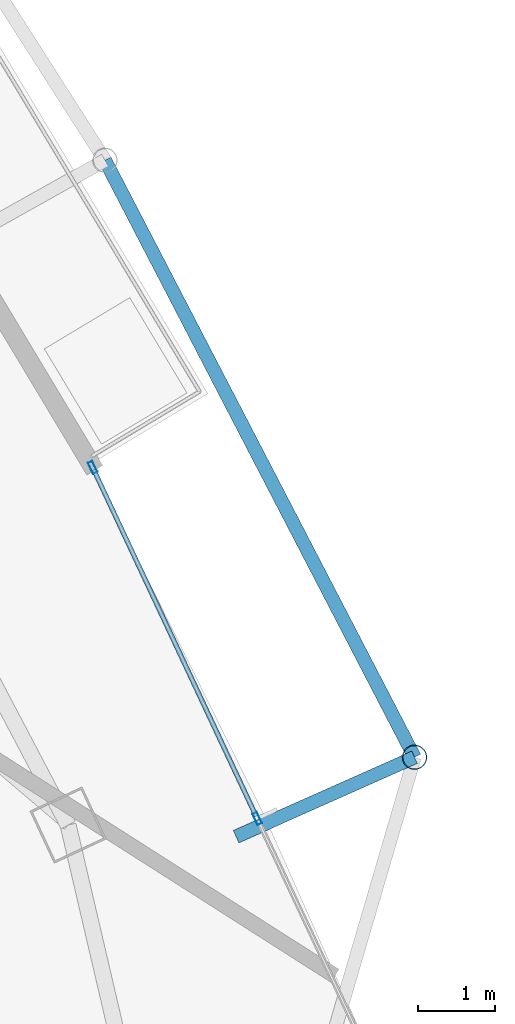
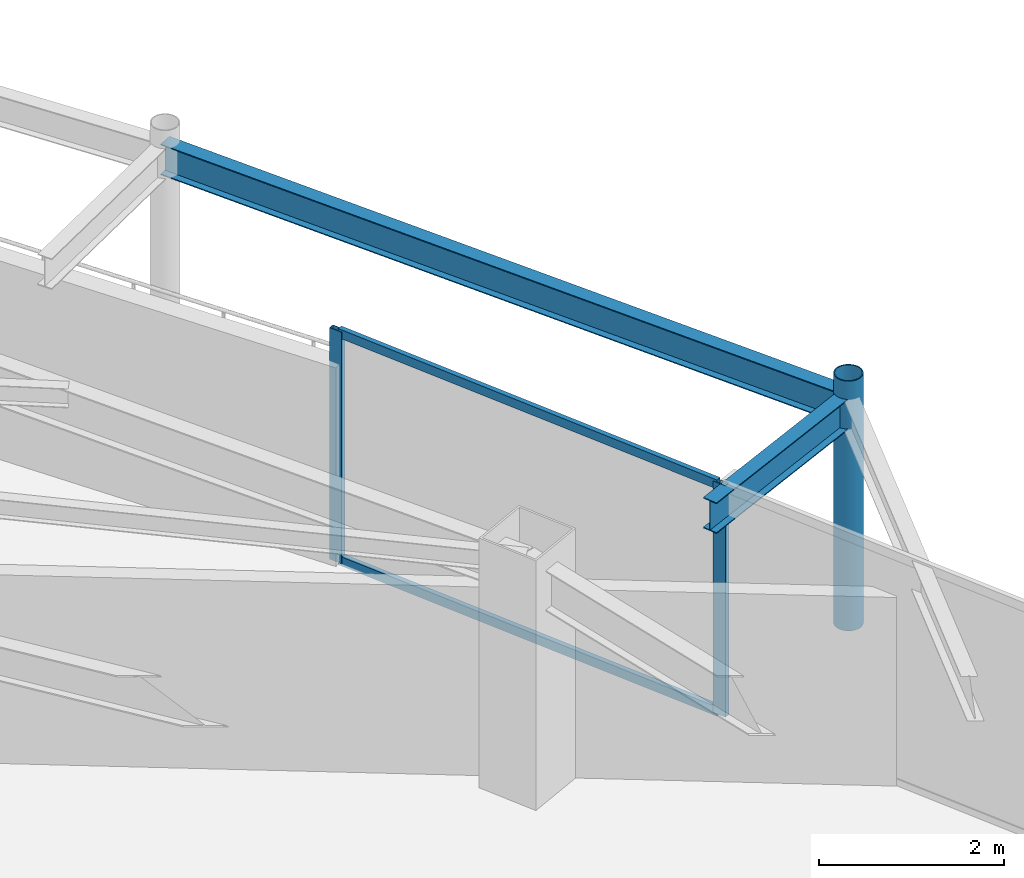
# One storey, part 20 of 33: 5 members, 2 beams, 1 element without a shape of its own.
"""IFC4 building model written with IfcOpenShell, lengths in metres."""

from ifc_helpers import new_model, si_unit, direction, frame, origin, origin_2d, place, context, subcontext, project, spatial, hollow_rectangle, hollow_circle, i_section, extrude, material, layer, layer_set, material_profile, profile_set, type_object, element, aggregate, save


model = new_model("IFC4")

# Units and contexts
model_context = context("Model", 3, precision=1e-05, world=origin(), true_north=direction((0.0, 1.0)))
body_context = subcontext(model_context, "Body", "Model", "MODEL_VIEW")
ifc_project = project(units=[si_unit("LENGTHUNIT", "METRE"), si_unit("AREAUNIT", "SQUARE_METRE"), si_unit("VOLUMEUNIT", "CUBIC_METRE"), si_unit("PLANEANGLEUNIT", "RADIAN"), si_unit("MASSUNIT", "GRAM", prefix="KILO")], contexts=[model_context])

# Site, building, storey
site_placement = place(None, origin())
site = spatial("IfcSite", under=ifc_project, at=site_placement, CompositionType="ELEMENT")
building_placement = place(site_placement, origin())
building = spatial("IfcBuilding", under=site, at=building_placement, Name="Orvanel Arch Residences", CompositionType="ELEMENT")
storey_placement = place(building_placement, frame((0.0, 0.0, 209.60009765625)))
storey = spatial("IfcBuildingStorey", under=building, at=storey_placement, Name="L59", CompositionType="ELEMENT", Elevation=209.60009765625)

# Curtain wall, members
ifc_material_1 = material(Name="Bronze-anodised aluminium AA6063-T6", Category="aluminium")
ifc_layer = layer(ifc_material_1, 0.175048828125)
ifc_layer_set = layer_set([ifc_layer], Name="Bronze-anodised aluminium AA6063-T6")
curtain_wall_type = type_object("IfcCurtainWallType", Name="CW4-HI-SYS", PredefinedType="NOTDEFINED", material=ifc_layer_set)
curtain_wall_placement = place(storey_placement, origin())
curtain_wall = element("IfcCurtainWall", 1, at=curtain_wall_placement, inside=storey, type_object=curtain_wall_type, Name="L59 CW4-HI-SYS Unitised Curtain Wall", PredefinedType="NOTDEFINED")
ifc_material_profile_1 = material_profile(ifc_material_1, hollow_rectangle(XDim=0.06494140625, YDim=0.159912109375, WallThickness=0.00390625, at=origin_2d()), Name="ALU160x65x4")
ifc_profile_set_1 = profile_set([ifc_material_profile_1], Name="Bronze-anodised aluminium AA6063-T6")
member_type_1 = type_object("IfcMemberType", Name="MUL-160x65", PredefinedType="MULLION", material=ifc_profile_set_1)
member_1_placement = place(storey_placement, frame((52.10205078125, 19.7275390625, 0.0), z_axis=(0.0, 0.0, 1.0), x_axis=(-0.905502538529, -0.424340844978, 0.0)))
member_1 = element("IfcMember", 2, at=member_1_placement, type_object=member_type_1, Name="CW-S4 mullion 2", PredefinedType="MULLION", context=body_context, shape_type="SweptSolid", body=[
    extrude(hollow_rectangle(XDim=0.06494140625, YDim=0.159912109375, WallThickness=0.00390625, at=origin_2d()), origin(), (0.0, 0.0, 1.0), 3.059814453125),
])
member_2_placement = place(storey_placement, frame((49.953857421875, 24.3115234375, 0.0), z_axis=(0.0, 0.0, 1.0), x_axis=(-0.905502538529, -0.424340844978, 0.0)))
member_2 = element("IfcMember", 3, at=member_2_placement, type_object=member_type_1, Name="CW-S4 mullion 3", PredefinedType="MULLION", context=body_context, shape_type="SweptSolid", body=[
    extrude(hollow_rectangle(XDim=0.06494140625, YDim=0.159912109375, WallThickness=0.00390625, at=origin_2d()), origin(), (0.0, 0.0, 1.0), 3.059814453125),
])

# Beams
ifc_material_2 = material(Name="Structural steel AS/NZS 3679.1 Grade 300 (300 MPa)", Category="steel")
ifc_material_profile_2 = material_profile(ifc_material_2, i_section(OverallWidth=0.177978515625, OverallDepth=0.406005859375, WebThickness=0.0078125, FlangeThickness=0.0126953125, at=origin_2d()), Name="410UB59.7")
ifc_profile_set_2 = profile_set([ifc_material_profile_2], Name="Structural steel AS/NZS 3679.1 Grade 300 (300 MPa)")
beam_type = type_object("IfcBeamType", Name="OB-410UB-EXT", PredefinedType="SPANDREL", material=ifc_profile_set_2)
beam_1_placement = place(storey_placement, frame((51.826904296875, 19.490966796875, 2.85693359375), z_axis=(0.913732571389, 0.406316118291, 0.0), x_axis=(-0.406316118291, 0.913732571389, 0.0)))
element("IfcBeam", 4, at=beam_1_placement, inside=storey, type_object=beam_type, Name="L59 Outer Frame Radial Tie Beam 09", PredefinedType="SPANDREL", context=body_context, shape_type="SweptSolid", body=[
    extrude(i_section(OverallWidth=0.177978515625, OverallDepth=0.406005859375, WebThickness=0.0078125, FlangeThickness=0.0126953125, at=origin_2d()), origin(), (0.0, 0.0, 1.0), 2.550048828125),
])
beam_2_placement = place(storey_placement, frame((54.156982421875, 20.527099609375, 2.85693359375), z_axis=(-0.460333396268, 0.887746114765, 0.0), x_axis=(-0.887746114765, -0.460333396268, 0.0)))
element("IfcBeam", 5, at=beam_2_placement, inside=storey, type_object=beam_type, Name="L59 Outer Perimeter Floor Ring Beam 09", PredefinedType="SPANDREL", context=body_context, shape_type="SweptSolid", body=[
    extrude(i_section(OverallWidth=0.177978515625, OverallDepth=0.406005859375, WebThickness=0.0078125, FlangeThickness=0.0126953125, at=origin_2d()), origin(), (0.0, 0.0, 1.0), 8.780517578125),
])

# Member
ifc_material_3 = material(Name="Structural steel AS/NZS 1163 C350L0 (Grade 350)", Category="steel")
ifc_material_profile_3 = material_profile(ifc_material_3, hollow_circle(Radius=0.162109375, WallThickness=0.0126953125, at=origin_2d()), Name="CHS324x12.7")
ifc_profile_set_3 = profile_set([ifc_material_profile_3], Name="Structural steel AS/NZS 1163 C350L0 (Grade 350)")
member_type_2 = type_object("IfcMemberType", Name="ST-324CHS-EXT", PredefinedType="STRUT", material=ifc_profile_set_3)
member_3_placement = place(storey_placement, frame((54.156982421875, 20.527099609375, 0.0), z_axis=(0.0, 0.0, 1.0), x_axis=(1.0, 0.0, 0.0)))
element("IfcMember", 6, at=member_3_placement, inside=storey, type_object=member_type_2, Name="L59 Outer Perimeter Frame Post 09", PredefinedType="STRUT", context=body_context, shape_type="SweptSolid", body=[
    extrude(hollow_circle(Radius=0.162109375, WallThickness=0.0126953125, at=origin_2d()), origin(), (0.0, 0.0, 1.0), 3.2998046875),
])

ifc_material_profile_4 = material_profile(ifc_material_1, hollow_rectangle(XDim=0.06005859375, YDim=0.1201171875, WallThickness=0.00341796875, at=origin_2d()), Name="ALU120x60x3.5")
ifc_profile_set_4 = profile_set([ifc_material_profile_4], Name="Bronze-anodised aluminium AA6063-T6")
member_type_3 = type_object("IfcMemberType", Name="TRN-120x60", PredefinedType="USERDEFINED", material=ifc_profile_set_4)
member_4_placement = place(storey_placement, frame((52.088134765625, 19.7568359375, 0.02978515625), z_axis=(-0.424323732422, 0.905510557699, 0.0), x_axis=(-0.905510557699, -0.424323732422, 0.0)))
member_4 = element("IfcMember", 7, at=member_4_placement, type_object=member_type_3, Name="CW-S4 transom 2.1", ObjectType="TRANSOM", PredefinedType="USERDEFINED", context=body_context, shape_type="SweptSolid", body=[
    extrude(hollow_rectangle(XDim=0.06005859375, YDim=0.1201171875, WallThickness=0.00341796875, at=origin_2d()), origin(), (0.0, 0.0, 1.0), 4.99755859375),
])

member_5_placement = place(storey_placement, frame((52.088134765625, 19.7568359375, 3.02978515625), z_axis=(-0.424323732422, 0.905510557699, 0.0), x_axis=(-0.905510557699, -0.424323732422, 0.0)))
member_5 = element("IfcMember", 8, at=member_5_placement, type_object=member_type_3, Name="CW-S4 transom 2.2", ObjectType="TRANSOM", PredefinedType="USERDEFINED", context=body_context, shape_type="SweptSolid", body=[
    extrude(hollow_rectangle(XDim=0.06005859375, YDim=0.1201171875, WallThickness=0.00341796875, at=origin_2d()), origin(), (0.0, 0.0, 1.0), 4.99755859375),
])

aggregate(curtain_wall, [member_1, member_2, member_4, member_5])

save(model, "model.ifc")
